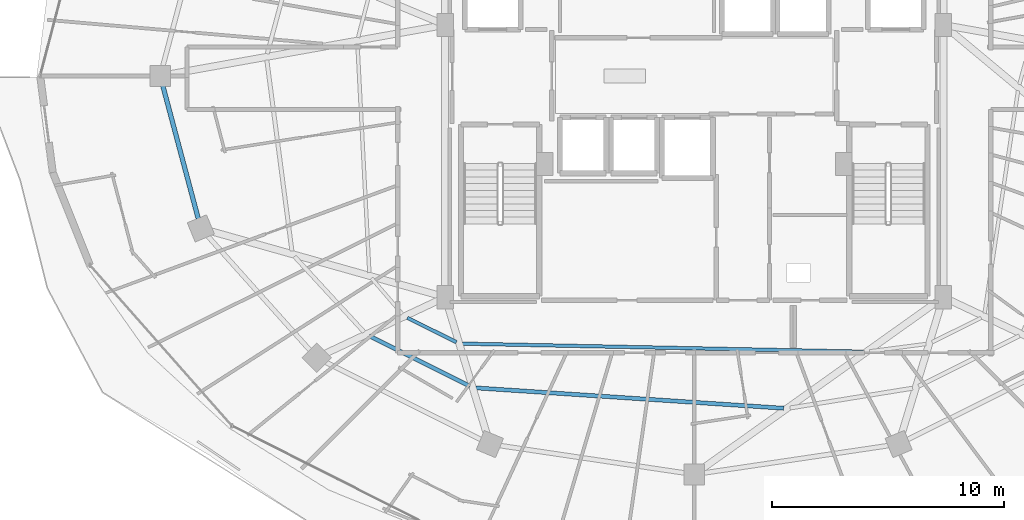
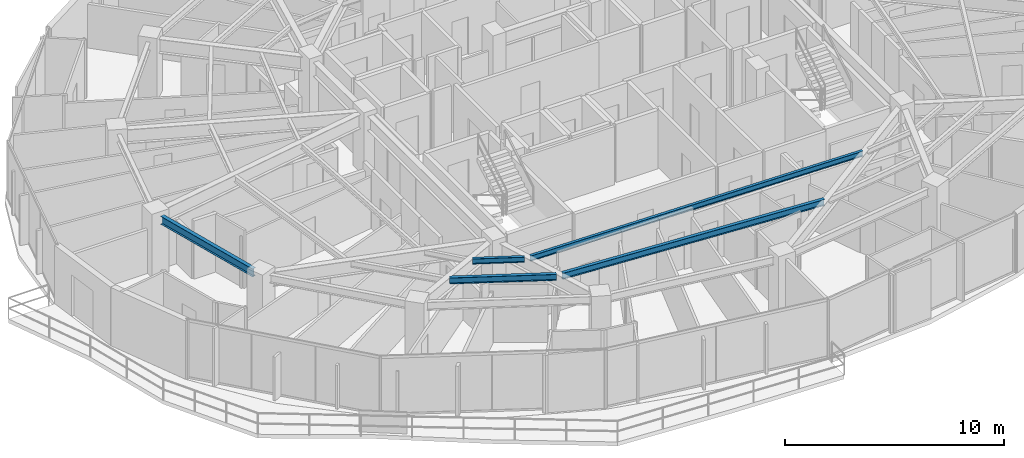
# One storey, part 6 of 34: 5 beams.
"""IFC4 building model written with IfcOpenShell, lengths in metres."""

from ifc_helpers import new_model, si_unit, direction, frame, origin, origin_2d, place, context, subcontext, project, spatial, i_section, extrude, material, material_profile, profile_set, type_object, element, save


model = new_model("IFC4")

# Units and contexts
model_context = context("Model", 3, precision=1e-05, world=origin(), true_north=direction((0.0, 1.0)))
body_context = subcontext(model_context, "Body", "Model", "MODEL_VIEW")
ifc_project = project(units=[si_unit("LENGTHUNIT", "METRE"), si_unit("AREAUNIT", "SQUARE_METRE"), si_unit("VOLUMEUNIT", "CUBIC_METRE"), si_unit("PLANEANGLEUNIT", "RADIAN"), si_unit("MASSUNIT", "GRAM", prefix="KILO")], contexts=[model_context])

# Site, building, storey
site_placement = place(None, origin())
site = spatial("IfcSite", under=ifc_project, at=site_placement, CompositionType="ELEMENT")
building_placement = place(site_placement, origin())
building = spatial("IfcBuilding", under=site, at=building_placement, Name="Vorneva Point Tower", CompositionType="ELEMENT")
storey_placement = place(building_placement, frame((0.0, 0.0, 182.60009765625)))
storey = spatial("IfcBuildingStorey", under=building, at=storey_placement, Name="L49", CompositionType="ELEMENT", Elevation=182.60009765625)

# Beams
ifc_material = material(Name="Steel S355", Category="steel")
ifc_material_profile_1 = material_profile(ifc_material, i_section(OverallWidth=0.14892578125, OverallDepth=0.298095703125, WebThickness=0.005615234375, FlangeThickness=0.008056640625, at=origin_2d()), Name="30B1")
ifc_profile_set_1 = profile_set([ifc_material_profile_1], Name="Steel S355")
beam_type_1 = type_object("IfcBeamType", Name="BM-JST-30B1", PredefinedType="JOIST", material=ifc_profile_set_1)
beam_1_placement = place(storey_placement, frame((25.612548828125, 15.559814453125, 3.0908203125), z_axis=(0.895946483514, -0.4441620185, 0.0), x_axis=(0.4441620185, 0.895946483514, 0.0)))
element("IfcBeam", 1, at=beam_1_placement, inside=storey, type_object=beam_type_1, Name="L49 Secondary Floor Beam 2.11", PredefinedType="JOIST", context=body_context, shape_type="SweptSolid", body=[
    extrude(i_section(OverallWidth=0.14892578125, OverallDepth=0.298095703125, WebThickness=0.005615234375, FlangeThickness=0.008056640625, at=origin_2d()), origin(), (0.0, 0.0, 1.0), 2.3701171875),
])
beam_2_placement = place(storey_placement, frame((27.997802734375, 14.443115234375, 3.0908203125), z_axis=(0.999798766182, -0.020060586778, 0.0), x_axis=(0.020060586778, 0.999798766182, 0.0)))
element("IfcBeam", 2, at=beam_2_placement, inside=storey, type_object=beam_type_1, Name="L49 Secondary Floor Beam 2.12", PredefinedType="JOIST", context=body_context, shape_type="SweptSolid", body=[
    extrude(i_section(OverallWidth=0.14892578125, OverallDepth=0.298095703125, WebThickness=0.005615234375, FlangeThickness=0.008056640625, at=origin_2d()), origin(), (0.0, 0.0, 1.0), 17.305908203125),
])
ifc_material_profile_2 = material_profile(ifc_material, i_section(OverallWidth=0.174072265625, OverallDepth=0.345947265625, WebThickness=0.006103515625, FlangeThickness=0.009033203125, at=origin_2d()), Name="35B1")
ifc_profile_set_2 = profile_set([ifc_material_profile_2], Name="Steel S355")
beam_type_2 = type_object("IfcBeamType", Name="BM-SEC-35B1", PredefinedType="BEAM", material=ifc_profile_set_2)
beam_3_placement = place(storey_placement, frame((23.965087890625, 14.78369140625, 3.06689453125), z_axis=(0.89410580889, -0.44785578316, 0.0), x_axis=(0.44785578316, 0.89410580889, 0.0)))
element("IfcBeam", 3, at=beam_3_placement, inside=storey, type_object=beam_type_2, Name="L49 Secondary Floor Beam 1.11", PredefinedType="BEAM", context=body_context, shape_type="SweptSolid", body=[
    extrude(i_section(OverallWidth=0.174072265625, OverallDepth=0.345947265625, WebThickness=0.006103515625, FlangeThickness=0.009033203125, at=origin_2d()), origin(), (0.0, 0.0, 1.0), 4.865234375),
])
beam_4_placement = place(storey_placement, frame((28.576416015625, 12.533935546875, 3.06689453125), z_axis=(0.997817414317, -0.066033383117, 0.0), x_axis=(0.066033383117, 0.997817414317, 0.0)))
element("IfcBeam", 4, at=beam_4_placement, inside=storey, type_object=beam_type_2, Name="L49 Secondary Floor Beam 1.12", PredefinedType="BEAM", context=body_context, shape_type="SweptSolid", body=[
    extrude(i_section(OverallWidth=0.174072265625, OverallDepth=0.345947265625, WebThickness=0.006103515625, FlangeThickness=0.009033203125, at=origin_2d()), origin(), (0.0, 0.0, 1.0), 13.313720703125),
])
ifc_material_profile_3 = material_profile(ifc_material, i_section(OverallWidth=0.198974609375, OverallDepth=0.446044921875, WebThickness=0.008056640625, FlangeThickness=0.011962890625, at=origin_2d()), Name="45B1")
ifc_profile_set_3 = profile_set([ifc_material_profile_3], Name="Steel S355")
beam_type_3 = type_object("IfcBeamType", Name="BM-SPN-45B1", PredefinedType="SPANDREL", material=ifc_profile_set_3)
beam_5_placement = place(storey_placement, frame((15.06201171875, 25.57958984375, 3.016845703125), z_axis=(0.257578258003, -0.966257440336, 0.0), x_axis=(0.966257440336, 0.257578258003, 0.0)))
element("IfcBeam", 5, at=beam_5_placement, inside=storey, type_object=beam_type_3, Name="L49 Perimeter Spandrel Ring Beam 09", PredefinedType="SPANDREL", context=body_context, shape_type="SweptSolid", body=[
    extrude(i_section(OverallWidth=0.198974609375, OverallDepth=0.446044921875, WebThickness=0.008056640625, FlangeThickness=0.011962890625, at=origin_2d()), origin(), (0.0, 0.0, 1.0), 5.94189453125),
])

save(model, "model.ifc")
